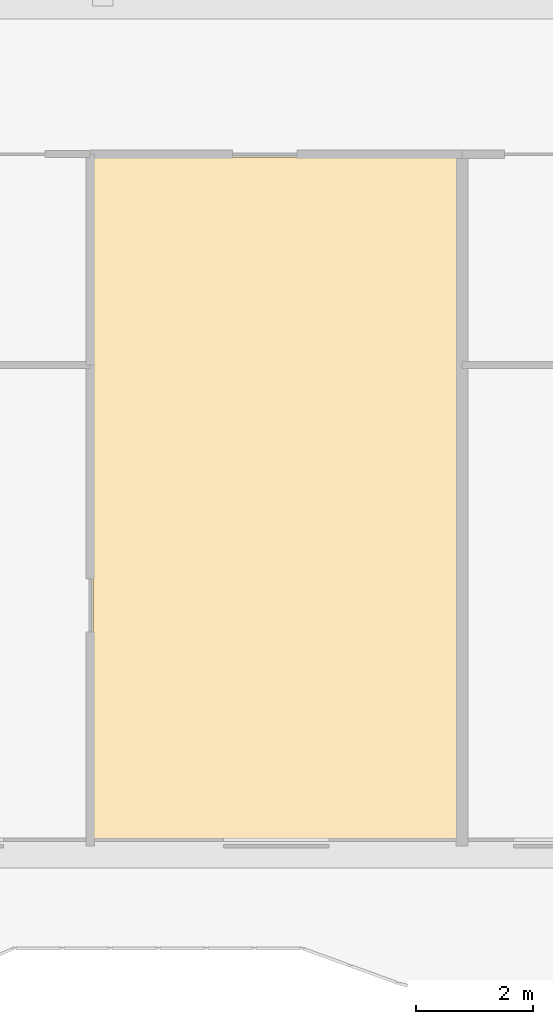
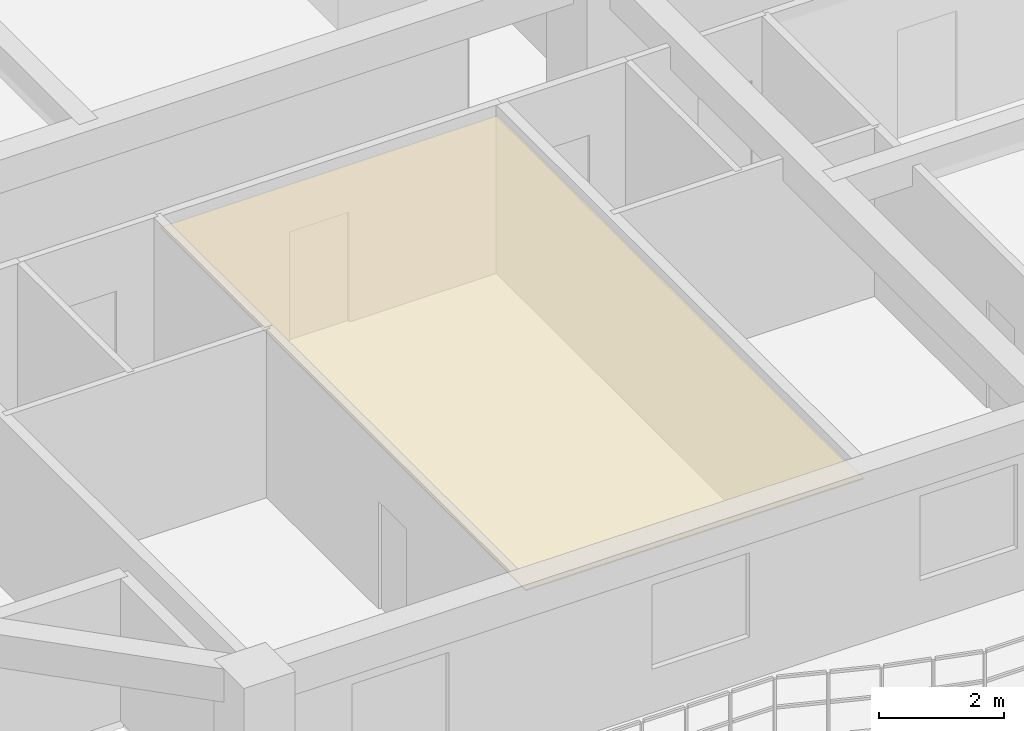
# One storey, part 10 of 17: 1 covering.
"""IFC4 building model written with IfcOpenShell, lengths in metres."""

from ifc_helpers import new_model, si_unit, direction, frame, origin, place, context, subcontext, project, spatial, polyline, outline, extrude, material, layer, layer_set, type_object, element, save


model = new_model("IFC4")

# Units and contexts
model_context = context("Model", 3, precision=1e-05, world=origin(), true_north=direction((0.0, 1.0)))
body_context = subcontext(model_context, "Body", "Model", "MODEL_VIEW")
ifc_project = project(units=[si_unit("LENGTHUNIT", "METRE"), si_unit("AREAUNIT", "SQUARE_METRE"), si_unit("VOLUMEUNIT", "CUBIC_METRE"), si_unit("PLANEANGLEUNIT", "RADIAN"), si_unit("MASSUNIT", "GRAM", prefix="KILO")], contexts=[model_context])

# Site, building, storey
site_placement = place(None, origin())
site = spatial("IfcSite", under=ifc_project, at=site_placement, CompositionType="ELEMENT")
building_placement = place(site_placement, origin())
building = spatial("IfcBuilding", under=site, at=building_placement, Name="Saelheon Loggia Tower", CompositionType="ELEMENT")
storey_placement = place(building_placement, frame((0.0, 0.0, 74.35009765625)))
storey = spatial("IfcBuildingStorey", under=building, at=storey_placement, Name="L23", CompositionType="ELEMENT", Elevation=74.35009765625)

# Covering
ifc_material = material(Name="Mineral-Fibre Acoustic Ceiling Board", Category="gypsum")
ifc_layer = layer(ifc_material, 0.02490234375)
ifc_layer_set = layer_set([ifc_layer], Name="Mineral-Fibre Acoustic Ceiling Board")
covering_type = type_object("IfcCoveringType", Name="Cov_Ceiling_Acoustic", PredefinedType="CEILING", material=ifc_layer_set)
covering_placement = place(storey_placement, frame((0.0, 0.0, 3.034912109375)))
element("IfcCovering", 1, at=covering_placement, inside=storey, type_object=covering_type, Name="L23 Acoustic Suspended Ceiling", PredefinedType="CEILING", context=body_context, shape_type="SweptSolid", body=[
    extrude(outline(polyline([(21.330078125, 3.199951171875), (27.572509765625, 3.199951171875), (27.572509765625, 14.89990234375), (21.330078125, 14.89990234375), (21.330078125, 3.199951171875)])), origin(), (0.0, 0.0, 1.0), 0.02490234375),
])

save(model, "model.ifc")
